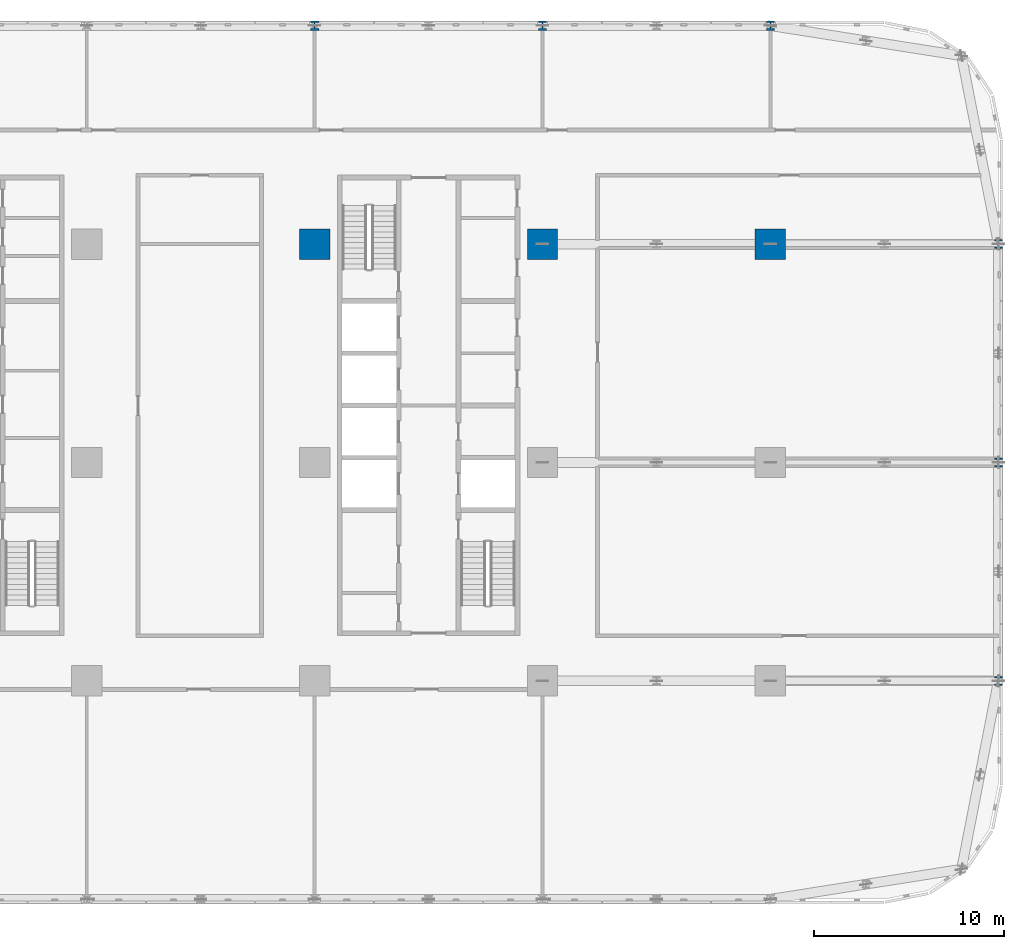
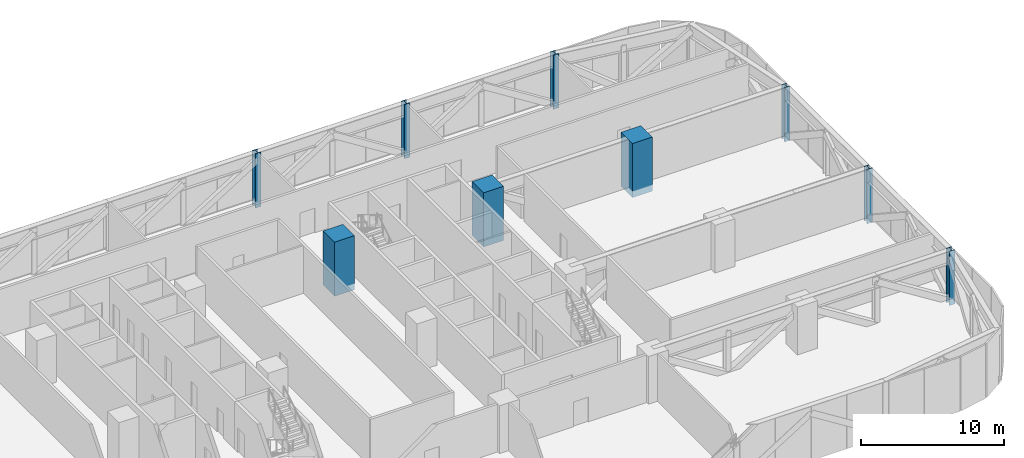
# One storey, part 2 of 25: 9 columns.
"""IFC4 building model written with IfcOpenShell, lengths in metres."""

from ifc_helpers import new_model, si_unit, direction, frame, origin, origin_2d, place, context, subcontext, project, spatial, rectangle, i_section, extrude, material, material_profile, profile_set, type_object, element, save


model = new_model("IFC4")

# Units and contexts
model_context = context("Model", 3, precision=1e-05, world=origin(), true_north=direction((0.0, 1.0)))
body_context = subcontext(model_context, "Body", "Model", "MODEL_VIEW")
ifc_project = project(units=[si_unit("LENGTHUNIT", "METRE"), si_unit("AREAUNIT", "SQUARE_METRE"), si_unit("VOLUMEUNIT", "CUBIC_METRE"), si_unit("PLANEANGLEUNIT", "RADIAN"), si_unit("MASSUNIT", "GRAM", prefix="KILO")], contexts=[model_context])

# Site, building, storey
site_placement = place(None, origin())
site = spatial("IfcSite", under=ifc_project, at=site_placement, CompositionType="ELEMENT")
building_placement = place(site_placement, origin())
building = spatial("IfcBuilding", under=site, at=building_placement, Name="Mahtab Terrace Research Tower", CompositionType="ELEMENT")
storey_placement = place(building_placement, frame((0.0, 0.0, 41.60009765625)))
storey = spatial("IfcBuildingStorey", under=building, at=storey_placement, Name="L09", CompositionType="ELEMENT", Elevation=41.60009765625)

# Columns
ifc_material_1 = material(Name="Concrete C70/85", Category="concrete")
ifc_material_profile_1 = material_profile(ifc_material_1, rectangle(XDim=1.60009765625, YDim=1.60009765625, at=origin_2d()), Name="RC column 1600x1600")
ifc_profile_set_1 = profile_set([ifc_material_profile_1], Name="Concrete C70/85")
column_type_1 = type_object("IfcColumnType", Name="RC column 1600x1600", PredefinedType="COLUMN", material=ifc_profile_set_1)
for number, where, z_axis, x_axis, name in (
    (1, (18.0, 11.5, -0.550048828125), (0.0, 0.0, 1.0), (1.0, 0.0, 0.0), "Column RC-6C L09"),
    (2, (30.0, 11.5, -0.550048828125), (0.0, 0.0, 1.0), (1.0, 0.0, 0.0), "Column RC-7C L09"),
    (3, (42.0, 11.5, -0.550048828125), (0.0, 0.0, 1.0), (1.0, 0.0, 0.0), "Column RC-8C L09"),
):
    element("IfcColumn", number, at=place(storey_placement, frame(where, z_axis=z_axis, x_axis=x_axis)), inside=storey, type_object=column_type_1, Name=name, PredefinedType="COLUMN", context=body_context, shape_type="SweptSolid", body=[
        extrude(rectangle(XDim=1.60009765625, YDim=1.60009765625, at=origin_2d()), origin(), (0.0, 0.0, 1.0), 4.60986328125),
    ])
ifc_material_2 = material(Name="Steel ASTM A992 Gr 50", Category="steel")
ifc_material_profile_2 = material_profile(ifc_material_2, i_section(OverallWidth=0.42431640625, OverallDepth=0.47509765625, WebThickness=0.0478515625, FlangeThickness=0.0771484375, at=origin_2d()), Name="W14X426")
ifc_profile_set_2 = profile_set([ifc_material_profile_2], Name="Steel ASTM A992 Gr 50")
column_type_2 = type_object("IfcColumnType", Name="W14x426 column CS14426", PredefinedType="COLUMN", material=ifc_profile_set_2)
for number, where, z_axis, x_axis, name in (
    (4, (54.0, -11.5, -0.550048828125), (0.0, 0.0, 1.0), (1.0, 0.0, 0.0), "Column SC-027 L09"),
    (5, (54.0, 0.0, -0.550048828125), (0.0, 0.0, 1.0), (1.0, 0.0, 0.0), "Column SC-028 L09"),
    (6, (54.0, 11.5, -0.550048828125), (0.0, 0.0, 1.0), (1.0, 0.0, 0.0), "Column SC-029 L09"),
):
    element("IfcColumn", number, at=place(storey_placement, frame(where, z_axis=z_axis, x_axis=x_axis)), inside=storey, type_object=column_type_2, Name=name, PredefinedType="COLUMN", context=body_context, shape_type="SweptSolid", body=[
        extrude(i_section(OverallWidth=0.42431640625, OverallDepth=0.47509765625, WebThickness=0.0478515625, FlangeThickness=0.0771484375, at=origin_2d()), origin(), (0.0, 0.0, 1.0), 4.60986328125),
    ])
ifc_material_profile_3 = material_profile(ifc_material_2, i_section(OverallWidth=0.431884765625, OverallDepth=0.497802734375, WebThickness=0.0556640625, FlangeThickness=0.0888671875, at=origin_2d()), Name="W14X500")
ifc_profile_set_3 = profile_set([ifc_material_profile_3], Name="Steel ASTM A992 Gr 50")
column_type_3 = type_object("IfcColumnType", Name="W14x500 column CS14500", PredefinedType="COLUMN", material=ifc_profile_set_3)
for number, where, z_axis, x_axis, name in (
    (7, (42.0, 23.0, -0.550048828125), (0.0, 0.0, 1.0), (1.0, 0.0, 0.0), "Column SC-001 L09"),
    (8, (30.0, 23.0, -0.550048828125), (0.0, 0.0, 1.0), (1.0, 0.0, 0.0), "Column SC-002 L09"),
    (9, (18.0, 23.0, -0.550048828125), (0.0, 0.0, 1.0), (1.0, 0.0, 0.0), "Column SC-003 L09"),
):
    element("IfcColumn", number, at=place(storey_placement, frame(where, z_axis=z_axis, x_axis=x_axis)), inside=storey, type_object=column_type_3, Name=name, PredefinedType="COLUMN", context=body_context, shape_type="SweptSolid", body=[
        extrude(i_section(OverallWidth=0.431884765625, OverallDepth=0.497802734375, WebThickness=0.0556640625, FlangeThickness=0.0888671875, at=origin_2d()), origin(), (0.0, 0.0, 1.0), 4.60986328125),
    ])

save(model, "model.ifc")
